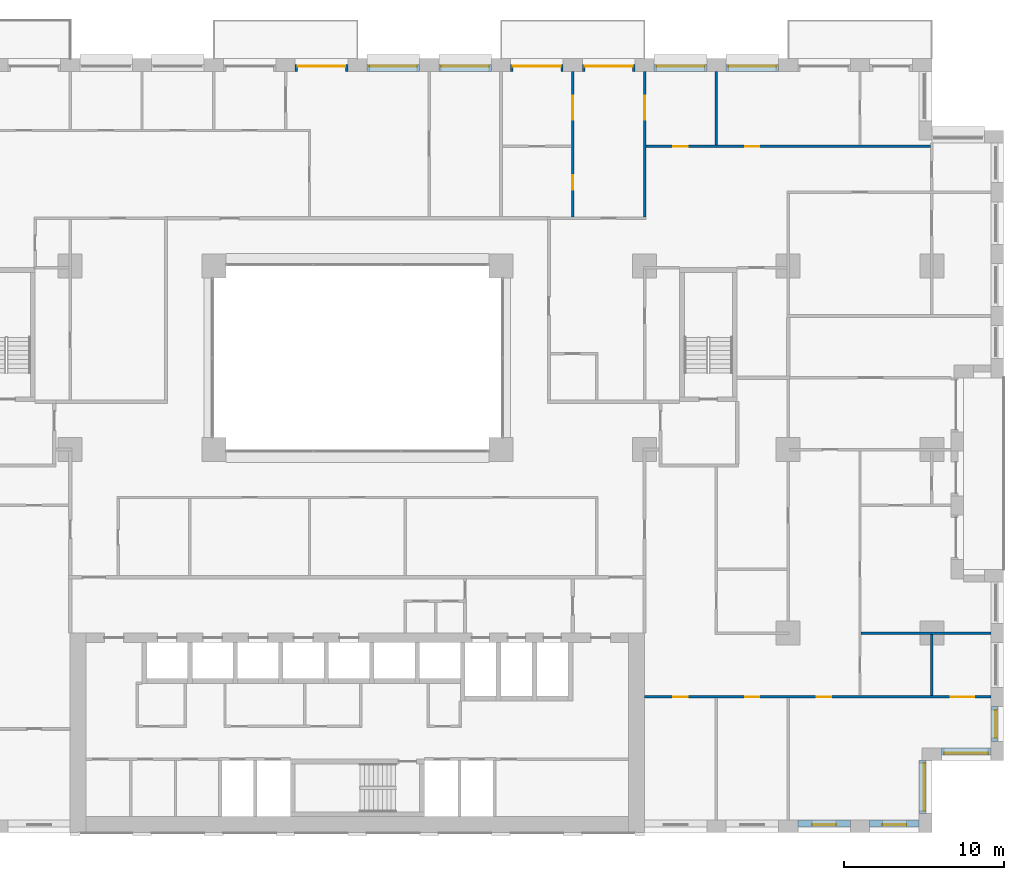
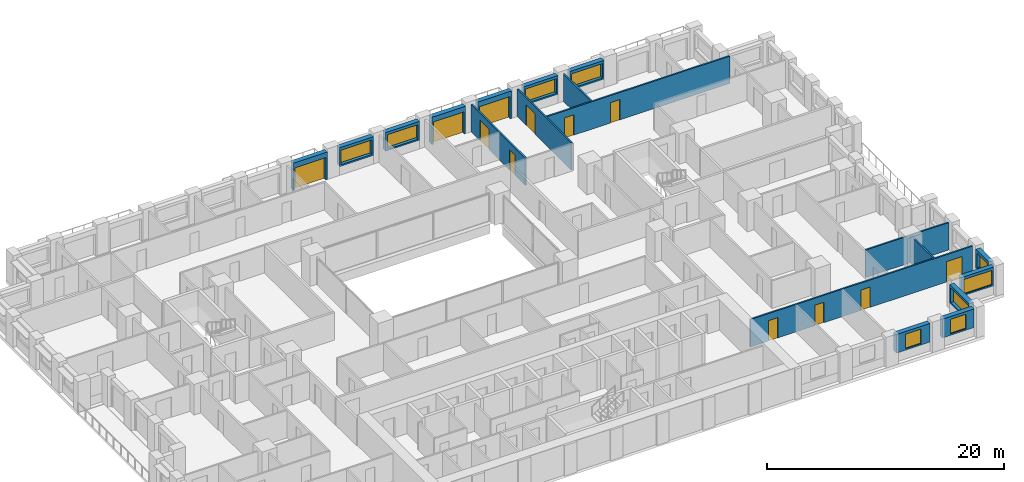
# One storey, part 16 of 20: 19 walls, 12 doors, 9 windows, 21 openings.
"""IFC4 building model written with IfcOpenShell, lengths in metres."""

from ifc_helpers import new_model, si_unit, direction, frame, frame_2d, origin, place, context, subcontext, project, spatial, rectangle, extrude, material, layer, layer_set, type_object, element, fill, save


model = new_model("IFC4")

# Units and contexts
model_context = context("Model", 3, precision=1e-05, world=origin(), true_north=direction((0.0, 1.0)))
body_context = subcontext(model_context, "Body", "Model", "MODEL_VIEW")
ifc_project = project(units=[si_unit("LENGTHUNIT", "METRE"), si_unit("AREAUNIT", "SQUARE_METRE"), si_unit("VOLUMEUNIT", "CUBIC_METRE"), si_unit("PLANEANGLEUNIT", "RADIAN"), si_unit("MASSUNIT", "GRAM", prefix="KILO")], contexts=[model_context])

# Site, building, storey
site_placement = place(None, origin())
site = spatial("IfcSite", under=ifc_project, at=site_placement, CompositionType="ELEMENT")
building_placement = place(site_placement, origin())
building = spatial("IfcBuilding", under=site, at=building_placement, Name="Brigalow Station Residences", CompositionType="ELEMENT")
storey_placement = place(building_placement, frame((0.0, 0.0, 54.14990234375)))
storey = spatial("IfcBuildingStorey", under=building, at=storey_placement, Name="L15", CompositionType="ELEMENT", Elevation=54.14990234375)

# Wall, opening, window
ifc_material_1 = material(Name="Clay brick masonry", Category="masonry")
ifc_layer_1 = layer(ifc_material_1, 0.449951171875)
ifc_layer_set_1 = layer_set([ifc_layer_1], Name="BRICK INFILL WALL 450")
wall_type_1 = type_object("IfcWallType", Name="BRICK INFILL WALL 450", PredefinedType="SOLIDWALL", material=ifc_layer_set_1)
wall_1_placement = place(storey_placement, frame((63.60009765625, 0.574951171875, 0.900146484375), z_axis=(0.0, 0.0, 1.0), x_axis=(1.0, 0.0, 0.0)))
wall_1 = element("IfcWall", 1, at=wall_1_placement, inside=storey, type_object=wall_type_1, Name="L15/ewall/W-L15-7", PredefinedType="SOLIDWALL", context=body_context, shape_type="SweptSolid", body=[
    extrude(rectangle(XDim=3.2998046875, YDim=0.449951171875, at=frame_2d((1.64990234375, 0.0))), origin(), (0.0, 0.0, 1.0), 1.929931640625),
])
opening_1_placement = place(wall_1_placement, frame((0.89990234375, 0.0, 0.14990234375)))
opening_1 = element("IfcOpeningElement", 2, at=opening_1_placement, cuts=wall_1, Name="Opening WT-1", PredefinedType="OPENING", context=body_context, shape_type="SweptSolid", body=[
    extrude(rectangle(XDim=1.5, YDim=1.5, at=frame_2d((0.75, 0.75))), frame((0.0, 0.23486328125, 0.0), z_axis=(0.0, -1.0, 0.0), x_axis=(1.0, 0.0, 0.0)), (0.0, 0.0, 1.0), 0.469970703125),
])
ifc_material_2 = material(Name="Anodised aluminium frame with double glazing", Category="aluminium")
window_type_1 = type_object("IfcWindowType", Name="WINDOW 1500x1500", PartitioningType="SINGLE_PANEL", PredefinedType="WINDOW", material=ifc_material_2)
window_1_placement = place(opening_1_placement, origin())
window_1 = element("IfcWindow", 3, at=window_1_placement, inside=storey, type_object=window_type_1, Name="L15/window/W-L15-7", OverallHeight=1.5, OverallWidth=1.5, PartitioningType="SINGLE_PANEL", PredefinedType="WINDOW", context=body_context, shape_type="SweptSolid", body=[
    extrude(rectangle(XDim=1.5, YDim=1.5, at=frame_2d((0.75, 0.75))), frame((0.0, -0.06494140625, 0.0), z_axis=(0.0, -1.0, 0.0), x_axis=(1.0, 0.0, 0.0)), (0.0, 0.0, 1.0), 0.06005859375),
])
fill(opening_1, window_1)

wall_2_placement = place(storey_placement, frame((68.10009765625, 0.574951171875, 0.900146484375), z_axis=(0.0, 0.0, 1.0), x_axis=(1.0, 0.0, 0.0)))
wall_2 = element("IfcWall", 4, at=wall_2_placement, inside=storey, type_object=wall_type_1, Name="L15/ewall/W-L15-8", PredefinedType="SOLIDWALL", context=body_context, shape_type="SweptSolid", body=[
    extrude(rectangle(XDim=3.099853515625, YDim=0.449951171875, at=frame_2d((1.5498046875, 0.0))), origin(), (0.0, 0.0, 1.0), 1.929931640625),
])
opening_2_placement = place(wall_2_placement, frame((0.800048828125, 0.0, 0.14990234375)))
opening_2 = element("IfcOpeningElement", 5, at=opening_2_placement, cuts=wall_2, Name="Opening WT-1", PredefinedType="OPENING", context=body_context, shape_type="SweptSolid", body=[
    extrude(rectangle(XDim=1.5, YDim=1.5, at=frame_2d((0.75, 0.75))), frame((0.0, 0.23486328125, 0.0), z_axis=(0.0, -1.0, 0.0), x_axis=(1.0, 0.0, 0.0)), (0.0, 0.0, 1.0), 0.469970703125),
])
window_2_placement = place(opening_2_placement, origin())
window_2 = element("IfcWindow", 6, at=window_2_placement, inside=storey, type_object=window_type_1, Name="L15/window/W-L15-8", OverallHeight=1.5, OverallWidth=1.5, PartitioningType="SINGLE_PANEL", PredefinedType="WINDOW", context=body_context, shape_type="SweptSolid", body=[
    extrude(rectangle(XDim=1.5, YDim=1.5, at=frame_2d((0.75, 0.75))), frame((0.0, -0.06494140625, 0.0), z_axis=(0.0, -1.0, 0.0), x_axis=(1.0, 0.0, 0.0)), (0.0, 0.0, 1.0), 0.06005859375),
])
fill(opening_2, window_2)

wall_3_placement = place(storey_placement, frame((71.425048828125, 1.199951171875, 0.900146484375), z_axis=(0.0, 0.0, 1.0), x_axis=(0.0, 1.0, 0.0)))
wall_3 = element("IfcWall", 7, at=wall_3_placement, inside=storey, type_object=wall_type_1, Name="L15/ewall/W-L15-9", PredefinedType="SOLIDWALL", context=body_context, shape_type="SweptSolid", body=[
    extrude(rectangle(XDim=3.300048828125, YDim=0.449951171875, at=frame_2d((1.64990234375, 0.0))), origin(), (0.0, 0.0, 1.0), 1.929931640625),
])
opening_3_placement = place(wall_3_placement, frame((0.14990234375, 0.0, 0.14990234375)))
opening_3 = element("IfcOpeningElement", 8, at=opening_3_placement, cuts=wall_3, Name="Opening WT-2", PredefinedType="OPENING", context=body_context, shape_type="SweptSolid", body=[
    extrude(rectangle(XDim=3.0, YDim=1.5, at=frame_2d((1.5, 0.75))), frame((0.0, 0.23486328125, 0.0), z_axis=(0.0, -1.0, 0.0), x_axis=(1.0, 0.0, 0.0)), (0.0, 0.0, 1.0), 0.469970703125),
])
ifc_material_3 = material(Name="Anodised aluminium frame with double glazing", Category="aluminium")
window_type_2 = type_object("IfcWindowType", Name="WINDOW 3000x1500", PartitioningType="SINGLE_PANEL", PredefinedType="WINDOW", material=ifc_material_3)
window_3_placement = place(opening_3_placement, origin())
window_3 = element("IfcWindow", 9, at=window_3_placement, inside=storey, type_object=window_type_2, Name="L15/window/W-L15-9", OverallHeight=1.5, OverallWidth=3.0, PartitioningType="SINGLE_PANEL", PredefinedType="WINDOW", context=body_context, shape_type="SweptSolid", body=[
    extrude(rectangle(XDim=3.0, YDim=1.5, at=frame_2d((1.5, 0.75))), frame((0.0, -0.06494140625, 0.0), z_axis=(0.0, -1.0, 0.0), x_axis=(1.0, 0.0, 0.0)), (0.0, 0.0, 1.0), 0.06005859375),
])
fill(opening_3, window_3)

wall_4_placement = place(storey_placement, frame((72.60009765625, 5.074951171875, 0.900146484375), z_axis=(0.0, 0.0, 1.0), x_axis=(1.0, 0.0, 0.0)))
wall_4 = element("IfcWall", 10, at=wall_4_placement, inside=storey, type_object=wall_type_1, Name="L15/ewall/W-L15-10", PredefinedType="SOLIDWALL", context=body_context, shape_type="SweptSolid", body=[
    extrude(rectangle(XDim=3.099853515625, YDim=0.449951171875, at=frame_2d((1.5498046875, 0.0))), origin(), (0.0, 0.0, 1.0), 1.929931640625),
])
opening_4_placement = place(wall_4_placement, frame((0.175048828125, 0.0, 0.14990234375)))
opening_4 = element("IfcOpeningElement", 11, at=opening_4_placement, cuts=wall_4, Name="Opening WT-3", PredefinedType="OPENING", context=body_context, shape_type="SweptSolid", body=[
    extrude(rectangle(XDim=2.75, YDim=1.5, at=frame_2d((1.375, 0.75))), frame((0.0, 0.23486328125, 0.0), z_axis=(0.0, -1.0, 0.0), x_axis=(1.0, 0.0, 0.0)), (0.0, 0.0, 1.0), 0.469970703125),
])
ifc_material_4 = material(Name="Anodised aluminium frame with double glazing", Category="aluminium")
window_type_3 = type_object("IfcWindowType", Name="WINDOW 2750x1500", PartitioningType="SINGLE_PANEL", PredefinedType="WINDOW", material=ifc_material_4)
window_4_placement = place(opening_4_placement, origin())
window_4 = element("IfcWindow", 12, at=window_4_placement, inside=storey, type_object=window_type_3, Name="L15/window/W-L15-10", OverallHeight=1.5, OverallWidth=2.75, PartitioningType="SINGLE_PANEL", PredefinedType="WINDOW", context=body_context, shape_type="SweptSolid", body=[
    extrude(rectangle(XDim=2.75, YDim=1.5, at=frame_2d((1.375, 0.75))), frame((0.0, -0.06494140625, 0.0), z_axis=(0.0, -1.0, 0.0), x_axis=(1.0, 0.0, 0.0)), (0.0, 0.0, 1.0), 0.06005859375),
])
fill(opening_4, window_4)

wall_5_placement = place(storey_placement, frame((75.925048828125, 5.699951171875, 0.900146484375), z_axis=(0.0, 0.0, 1.0), x_axis=(0.0, 1.0, 0.0)))
wall_5 = element("IfcWall", 13, at=wall_5_placement, inside=storey, type_object=wall_type_1, Name="L15/ewall/W-L15-11", PredefinedType="SOLIDWALL", context=body_context, shape_type="SweptSolid", body=[
    extrude(rectangle(XDim=2.199951171875, YDim=0.449951171875, at=frame_2d((1.10009765625, 0.0))), origin(), (0.0, 0.0, 1.0), 1.929931640625),
])
opening_5_placement = place(wall_5_placement, frame((0.22509765625, 0.0, 0.14990234375)))
opening_5 = element("IfcOpeningElement", 14, at=opening_5_placement, cuts=wall_5, Name="Opening WT-4", PredefinedType="OPENING", context=body_context, shape_type="SweptSolid", body=[
    extrude(rectangle(XDim=1.75, YDim=1.5, at=frame_2d((0.875, 0.75))), frame((0.0, 0.23486328125, 0.0), z_axis=(0.0, -1.0, 0.0), x_axis=(1.0, 0.0, 0.0)), (0.0, 0.0, 1.0), 0.469970703125),
])
ifc_material_5 = material(Name="Anodised aluminium frame with double glazing", Category="aluminium")
window_type_4 = type_object("IfcWindowType", Name="WINDOW 1750x1500", PartitioningType="SINGLE_PANEL", PredefinedType="WINDOW", material=ifc_material_5)
window_5_placement = place(opening_5_placement, origin())
window_5 = element("IfcWindow", 15, at=window_5_placement, inside=storey, type_object=window_type_4, Name="L15/window/W-L15-11", OverallHeight=1.5, OverallWidth=1.75, PartitioningType="SINGLE_PANEL", PredefinedType="WINDOW", context=body_context, shape_type="SweptSolid", body=[
    extrude(rectangle(XDim=1.75, YDim=1.5, at=frame_2d((0.875, 0.75))), frame((0.0, -0.06494140625, 0.0), z_axis=(0.0, -1.0, 0.0), x_axis=(1.0, 0.0, 0.0)), (0.0, 0.0, 1.0), 0.06005859375),
])
fill(opening_5, window_5)

wall_6_placement = place(storey_placement, frame((62.39990234375, 47.925048828125, 0.900146484375), z_axis=(0.0, 0.0, 1.0), x_axis=(-1.0, 0.0, 0.0)))
wall_6 = element("IfcWall", 16, at=wall_6_placement, inside=storey, type_object=wall_type_1, Name="L15/ewall/W-L15-27", PredefinedType="SOLIDWALL", context=body_context, shape_type="SweptSolid", body=[
    extrude(rectangle(XDim=3.2998046875, YDim=0.449951171875, at=frame_2d((1.64990234375, 0.0))), origin(), (0.0, 0.0, 1.0), 1.929931640625),
])
opening_6_placement = place(wall_6_placement, frame((0.14990234375, 0.0, 0.14990234375)))
opening_6 = element("IfcOpeningElement", 17, at=opening_6_placement, cuts=wall_6, Name="Opening WT-2", PredefinedType="OPENING", context=body_context, shape_type="SweptSolid", body=[
    extrude(rectangle(XDim=3.0, YDim=1.5, at=frame_2d((1.5, 0.75))), frame((0.0, 0.23486328125, 0.0), z_axis=(0.0, -1.0, 0.0), x_axis=(1.0, 0.0, 0.0)), (0.0, 0.0, 1.0), 0.469970703125),
])
window_6_placement = place(opening_6_placement, origin())
window_6 = element("IfcWindow", 18, at=window_6_placement, inside=storey, type_object=window_type_2, Name="L15/window/W-L15-27", OverallHeight=1.5, OverallWidth=3.0, PartitioningType="SINGLE_PANEL", PredefinedType="WINDOW", context=body_context, shape_type="SweptSolid", body=[
    extrude(rectangle(XDim=3.0, YDim=1.5, at=frame_2d((1.5, 0.75))), frame((0.0, -0.06494140625, 0.0), z_axis=(0.0, -1.0, 0.0), x_axis=(1.0, 0.0, 0.0)), (0.0, 0.0, 1.0), 0.06005859375),
])
fill(opening_6, window_6)

wall_7_placement = place(storey_placement, frame((57.89990234375, 47.925048828125, 0.900146484375), z_axis=(0.0, 0.0, 1.0), x_axis=(-1.0, 0.0, 0.0)))
wall_7 = element("IfcWall", 19, at=wall_7_placement, inside=storey, type_object=wall_type_1, Name="L15/ewall/W-L15-28", PredefinedType="SOLIDWALL", context=body_context, shape_type="SweptSolid", body=[
    extrude(rectangle(XDim=3.2998046875, YDim=0.449951171875, at=frame_2d((1.64990234375, 0.0))), origin(), (0.0, 0.0, 1.0), 1.929931640625),
])
opening_7_placement = place(wall_7_placement, frame((0.14990234375, 0.0, 0.14990234375)))
opening_7 = element("IfcOpeningElement", 20, at=opening_7_placement, cuts=wall_7, Name="Opening WT-2", PredefinedType="OPENING", context=body_context, shape_type="SweptSolid", body=[
    extrude(rectangle(XDim=3.0, YDim=1.5, at=frame_2d((1.5, 0.75))), frame((0.0, 0.23486328125, 0.0), z_axis=(0.0, -1.0, 0.0), x_axis=(1.0, 0.0, 0.0)), (0.0, 0.0, 1.0), 0.469970703125),
])
window_7_placement = place(opening_7_placement, origin())
window_7 = element("IfcWindow", 21, at=window_7_placement, inside=storey, type_object=window_type_2, Name="L15/window/W-L15-28", OverallHeight=1.5, OverallWidth=3.0, PartitioningType="SINGLE_PANEL", PredefinedType="WINDOW", context=body_context, shape_type="SweptSolid", body=[
    extrude(rectangle(XDim=3.0, YDim=1.5, at=frame_2d((1.5, 0.75))), frame((0.0, -0.06494140625, 0.0), z_axis=(0.0, -1.0, 0.0), x_axis=(1.0, 0.0, 0.0)), (0.0, 0.0, 1.0), 0.06005859375),
])
fill(opening_7, window_7)

# Wall, opening, door
wall_8_placement = place(storey_placement, frame((53.39990234375, 47.925048828125, 0.0), z_axis=(0.0, 0.0, 1.0), x_axis=(-1.0, 0.0, 0.0)))
wall_8 = element("IfcWall", 22, at=wall_8_placement, inside=storey, type_object=wall_type_1, Name="L15/ewall/W-L15-29", PredefinedType="SOLIDWALL", context=body_context, shape_type="SweptSolid", body=[
    extrude(rectangle(XDim=3.2998046875, YDim=0.449951171875, at=frame_2d((1.64990234375, 0.0))), origin(), (0.0, 0.0, 1.0), 2.830078125),
])
opening_8_placement = place(wall_8_placement, frame((0.14990234375, 0.0, 0.0)))
opening_8 = element("IfcOpeningElement", 23, at=opening_8_placement, cuts=wall_8, Name="Opening D-B3000", PredefinedType="OPENING", context=body_context, shape_type="SweptSolid", body=[
    extrude(rectangle(XDim=3.0, YDim=2.300048828125, at=frame_2d((1.5, 1.14990234375))), frame((0.0, 0.23486328125, 0.0), z_axis=(0.0, -1.0, 0.0), x_axis=(1.0, 0.0, 0.0)), (0.0, 0.0, 1.0), 0.469970703125),
])
ifc_material_6 = material(Name="Anodised aluminium frame with double glazing", Category="aluminium")
door_type_1 = type_object("IfcDoorType", Name="BALCONY SLIDING DOOR 3000x2300", OperationType="SLIDING_TO_LEFT", PredefinedType="DOOR", material=ifc_material_6)
door_1_placement = place(opening_8_placement, origin())
door_1 = element("IfcDoor", 24, at=door_1_placement, inside=storey, type_object=door_type_1, Name="L15/balcony-door/W-L15-29", OperationType="SLIDING_TO_LEFT", OverallHeight=2.300048828125, OverallWidth=3.0, PredefinedType="DOOR", context=body_context, shape_type="SweptSolid", body=[
    extrude(rectangle(XDim=3.0, YDim=2.300048828125, at=frame_2d((1.5, 1.14990234375))), frame((0.0, -0.06982421875, 0.0), z_axis=(0.0, -1.0, 0.0), x_axis=(1.0, 0.0, 0.0)), (0.0, 0.0, 1.0), 0.050048828125),
])
fill(opening_8, door_1)

wall_9_placement = place(storey_placement, frame((48.89990234375, 47.925048828125, 0.0), z_axis=(0.0, 0.0, 1.0), x_axis=(-1.0, 0.0, 0.0)))
wall_9 = element("IfcWall", 25, at=wall_9_placement, inside=storey, type_object=wall_type_1, Name="L15/ewall/W-L15-30", PredefinedType="SOLIDWALL", context=body_context, shape_type="SweptSolid", body=[
    extrude(rectangle(XDim=3.2998046875, YDim=0.449951171875, at=frame_2d((1.64990234375, 0.0))), origin(), (0.0, 0.0, 1.0), 2.830078125),
])
opening_9_placement = place(wall_9_placement, frame((0.14990234375, 0.0, 0.0)))
opening_9 = element("IfcOpeningElement", 26, at=opening_9_placement, cuts=wall_9, Name="Opening D-B3000", PredefinedType="OPENING", context=body_context, shape_type="SweptSolid", body=[
    extrude(rectangle(XDim=3.0, YDim=2.300048828125, at=frame_2d((1.5, 1.14990234375))), frame((0.0, 0.23486328125, 0.0), z_axis=(0.0, -1.0, 0.0), x_axis=(1.0, 0.0, 0.0)), (0.0, 0.0, 1.0), 0.469970703125),
])
door_2_placement = place(opening_9_placement, origin())
door_2 = element("IfcDoor", 27, at=door_2_placement, inside=storey, type_object=door_type_1, Name="L15/balcony-door/W-L15-30", OperationType="SLIDING_TO_LEFT", OverallHeight=2.300048828125, OverallWidth=3.0, PredefinedType="DOOR", context=body_context, shape_type="SweptSolid", body=[
    extrude(rectangle(XDim=3.0, YDim=2.300048828125, at=frame_2d((1.5, 1.14990234375))), frame((0.0, -0.06982421875, 0.0), z_axis=(0.0, -1.0, 0.0), x_axis=(1.0, 0.0, 0.0)), (0.0, 0.0, 1.0), 0.050048828125),
])
fill(opening_9, door_2)

# Wall, opening, window
wall_10_placement = place(storey_placement, frame((44.39990234375, 47.925048828125, 0.900146484375), z_axis=(0.0, 0.0, 1.0), x_axis=(-1.0, 0.0, 0.0)))
wall_10 = element("IfcWall", 28, at=wall_10_placement, inside=storey, type_object=wall_type_1, Name="L15/ewall/W-L15-31", PredefinedType="SOLIDWALL", context=body_context, shape_type="SweptSolid", body=[
    extrude(rectangle(XDim=3.2998046875, YDim=0.449951171875, at=frame_2d((1.64990234375, 0.0))), origin(), (0.0, 0.0, 1.0), 1.929931640625),
])
opening_10_placement = place(wall_10_placement, frame((0.14990234375, 0.0, 0.14990234375)))
opening_10 = element("IfcOpeningElement", 29, at=opening_10_placement, cuts=wall_10, Name="Opening WT-2", PredefinedType="OPENING", context=body_context, shape_type="SweptSolid", body=[
    extrude(rectangle(XDim=3.0, YDim=1.5, at=frame_2d((1.5, 0.75))), frame((0.0, 0.23486328125, 0.0), z_axis=(0.0, -1.0, 0.0), x_axis=(1.0, 0.0, 0.0)), (0.0, 0.0, 1.0), 0.469970703125),
])
window_8_placement = place(opening_10_placement, origin())
window_8 = element("IfcWindow", 30, at=window_8_placement, inside=storey, type_object=window_type_2, Name="L15/window/W-L15-31", OverallHeight=1.5, OverallWidth=3.0, PartitioningType="SINGLE_PANEL", PredefinedType="WINDOW", context=body_context, shape_type="SweptSolid", body=[
    extrude(rectangle(XDim=3.0, YDim=1.5, at=frame_2d((1.5, 0.75))), frame((0.0, -0.06494140625, 0.0), z_axis=(0.0, -1.0, 0.0), x_axis=(1.0, 0.0, 0.0)), (0.0, 0.0, 1.0), 0.06005859375),
])
fill(opening_10, window_8)

wall_11_placement = place(storey_placement, frame((39.89990234375, 47.925048828125, 0.900146484375), z_axis=(0.0, 0.0, 1.0), x_axis=(-1.0, 0.0, 0.0)))
wall_11 = element("IfcWall", 31, at=wall_11_placement, inside=storey, type_object=wall_type_1, Name="L15/ewall/W-L15-32", PredefinedType="SOLIDWALL", context=body_context, shape_type="SweptSolid", body=[
    extrude(rectangle(XDim=3.2998046875, YDim=0.449951171875, at=frame_2d((1.64990234375, 0.0))), origin(), (0.0, 0.0, 1.0), 1.929931640625),
])
opening_11_placement = place(wall_11_placement, frame((0.14990234375, 0.0, 0.14990234375)))
opening_11 = element("IfcOpeningElement", 32, at=opening_11_placement, cuts=wall_11, Name="Opening WT-2", PredefinedType="OPENING", context=body_context, shape_type="SweptSolid", body=[
    extrude(rectangle(XDim=3.0, YDim=1.5, at=frame_2d((1.5, 0.75))), frame((0.0, 0.23486328125, 0.0), z_axis=(0.0, -1.0, 0.0), x_axis=(1.0, 0.0, 0.0)), (0.0, 0.0, 1.0), 0.469970703125),
])
window_9_placement = place(opening_11_placement, origin())
window_9 = element("IfcWindow", 33, at=window_9_placement, inside=storey, type_object=window_type_2, Name="L15/window/W-L15-32", OverallHeight=1.5, OverallWidth=3.0, PartitioningType="SINGLE_PANEL", PredefinedType="WINDOW", context=body_context, shape_type="SweptSolid", body=[
    extrude(rectangle(XDim=3.0, YDim=1.5, at=frame_2d((1.5, 0.75))), frame((0.0, -0.06494140625, 0.0), z_axis=(0.0, -1.0, 0.0), x_axis=(1.0, 0.0, 0.0)), (0.0, 0.0, 1.0), 0.06005859375),
])
fill(opening_11, window_9)

# Wall, opening, door
wall_12_placement = place(storey_placement, frame((35.39990234375, 47.925048828125, 0.0), z_axis=(0.0, 0.0, 1.0), x_axis=(-1.0, 0.0, 0.0)))
wall_12 = element("IfcWall", 34, at=wall_12_placement, inside=storey, type_object=wall_type_1, Name="L15/ewall/W-L15-33", PredefinedType="SOLIDWALL", context=body_context, shape_type="SweptSolid", body=[
    extrude(rectangle(XDim=3.2998046875, YDim=0.449951171875, at=frame_2d((1.64990234375, 0.0))), origin(), (0.0, 0.0, 1.0), 2.830078125),
])
opening_12_placement = place(wall_12_placement, frame((0.14990234375, 0.0, 0.0)))
opening_12 = element("IfcOpeningElement", 35, at=opening_12_placement, cuts=wall_12, Name="Opening D-B3000", PredefinedType="OPENING", context=body_context, shape_type="SweptSolid", body=[
    extrude(rectangle(XDim=3.0, YDim=2.300048828125, at=frame_2d((1.5, 1.14990234375))), frame((0.0, 0.23486328125, 0.0), z_axis=(0.0, -1.0, 0.0), x_axis=(1.0, 0.0, 0.0)), (0.0, 0.0, 1.0), 0.469970703125),
])
door_3_placement = place(opening_12_placement, origin())
door_3 = element("IfcDoor", 36, at=door_3_placement, inside=storey, type_object=door_type_1, Name="L15/balcony-door/W-L15-33", OperationType="SLIDING_TO_LEFT", OverallHeight=2.300048828125, OverallWidth=3.0, PredefinedType="DOOR", context=body_context, shape_type="SweptSolid", body=[
    extrude(rectangle(XDim=3.0, YDim=2.300048828125, at=frame_2d((1.5, 1.14990234375))), frame((0.0, -0.06982421875, 0.0), z_axis=(0.0, -1.0, 0.0), x_axis=(1.0, 0.0, 0.0)), (0.0, 0.0, 1.0), 0.050048828125),
])
fill(opening_12, door_3)

# Wall
ifc_material_7 = material(Name="Plasterboard on steel stud partition", Category="steel")
ifc_layer_2 = layer(ifc_material_7, 0.14990234375)
ifc_layer_set_2 = layer_set([ifc_layer_2], Name="FLAT PARTITION 150")
wall_type_2 = type_object("IfcWallType", Name="FLAT PARTITION 150", PredefinedType="PARTITIONING", material=ifc_layer_set_2)
wall_13_placement = place(storey_placement, frame((67.574951171875, 12.5, 0.0), z_axis=(0.0, 0.0, 1.0), x_axis=(1.0, 0.0, 0.0)))
element("IfcWall", 37, at=wall_13_placement, inside=storey, type_object=wall_type_2, Name="PW-1E14", PredefinedType="PARTITIONING", context=body_context, shape_type="SweptSolid", body=[
    extrude(rectangle(XDim=8.125, YDim=0.14990234375, at=frame_2d((4.0625, 0.0))), origin(), (0.0, 0.0, 1.0), 2.830078125),
])

# Wall, openings, doors
wall_14_placement = place(storey_placement, frame((54.074951171875, 43.0, 0.0), z_axis=(0.0, 0.0, 1.0), x_axis=(1.0, 0.0, 0.0)))
wall_14 = element("IfcWall", 38, at=wall_14_placement, inside=storey, type_object=wall_type_2, Name="PW-1E34", PredefinedType="PARTITIONING", context=body_context, shape_type="SweptSolid", body=[
    extrude(rectangle(XDim=17.85009765625, YDim=0.14990234375, at=frame_2d((8.925048828125, 0.0))), origin(), (0.0, 0.0, 1.0), 2.830078125),
])
opening_13_placement = place(wall_14_placement, frame((6.22509765625, 0.0, 0.0)))
opening_13 = element("IfcOpeningElement", 39, at=opening_13_placement, cuts=wall_14, Name="Opening D-1E40", PredefinedType="OPENING", context=body_context, shape_type="SweptSolid", body=[
    extrude(rectangle(XDim=0.89990234375, YDim=2.10009765625, at=frame_2d((0.449951171875, 1.050048828125))), frame((0.0, 0.0849609375, 0.0), z_axis=(0.0, -1.0, 0.0), x_axis=(1.0, 0.0, 0.0)), (0.0, 0.0, 1.0), 0.169921875),
])
opening_14_placement = place(wall_14_placement, frame((1.72509765625, 0.0, 0.0)))
opening_14 = element("IfcOpeningElement", 40, at=opening_14_placement, cuts=wall_14, Name="Opening D-1E45", PredefinedType="OPENING", context=body_context, shape_type="SweptSolid", body=[
    extrude(rectangle(XDim=0.89990234375, YDim=2.10009765625, at=frame_2d((0.449951171875, 1.050048828125))), frame((0.0, 0.0849609375, 0.0), z_axis=(0.0, -1.0, 0.0), x_axis=(1.0, 0.0, 0.0)), (0.0, 0.0, 1.0), 0.169921875),
])
ifc_material_8 = material(Name="Solid-core timber door leaf", Category="wood")
door_type_2 = type_object("IfcDoorType", Name="INTERNAL DOOR 900 x 2100", OperationType="SINGLE_SWING_LEFT", PredefinedType="DOOR", material=ifc_material_8)
door_4_placement = place(opening_13_placement, origin())
door_4 = element("IfcDoor", 41, at=door_4_placement, inside=storey, type_object=door_type_2, Name="D-1E40", OperationType="SINGLE_SWING_LEFT", OverallHeight=2.10009765625, OverallWidth=0.89990234375, PredefinedType="DOOR", context=body_context, shape_type="SweptSolid", body=[
    extrude(rectangle(XDim=0.89990234375, YDim=2.10009765625, at=frame_2d((0.449951171875, 1.050048828125))), frame((0.0, 0.02490234375, 0.0), z_axis=(0.0, -1.0, 0.0), x_axis=(1.0, 0.0, 0.0)), (0.0, 0.0, 1.0), 0.050048828125),
])
fill(opening_13, door_4)
door_5_placement = place(opening_14_placement, origin())
door_5 = element("IfcDoor", 42, at=door_5_placement, inside=storey, type_object=door_type_2, Name="D-1E45", OperationType="SINGLE_SWING_LEFT", OverallHeight=2.10009765625, OverallWidth=0.89990234375, PredefinedType="DOOR", context=body_context, shape_type="SweptSolid", body=[
    extrude(rectangle(XDim=0.89990234375, YDim=2.10009765625, at=frame_2d((0.449951171875, 1.050048828125))), frame((0.0, 0.02490234375, 0.0), z_axis=(0.0, -1.0, 0.0), x_axis=(1.0, 0.0, 0.0)), (0.0, 0.0, 1.0), 0.050048828125),
])
fill(opening_14, door_5)

wall_15_placement = place(storey_placement, frame((54.0, 8.5, 0.0), z_axis=(0.0, 0.0, 1.0), x_axis=(1.0, 0.0, 0.0)))
wall_15 = element("IfcWall", 43, at=wall_15_placement, inside=storey, type_object=wall_type_2, Name="PW-1E35", PredefinedType="PARTITIONING", context=body_context, shape_type="SweptSolid", body=[
    extrude(rectangle(XDim=21.699951171875, YDim=0.14990234375, at=frame_2d((10.85009765625, 0.0))), origin(), (0.0, 0.0, 1.0), 2.830078125),
])
opening_15_placement = place(wall_15_placement, frame((6.300048828125, 0.0, 0.0)))
opening_15 = element("IfcOpeningElement", 44, at=opening_15_placement, cuts=wall_15, Name="Opening D-1E52", PredefinedType="OPENING", context=body_context, shape_type="SweptSolid", body=[
    extrude(rectangle(XDim=0.89990234375, YDim=2.10009765625, at=frame_2d((0.449951171875, 1.050048828125))), frame((0.0, 0.0849609375, 0.0), z_axis=(0.0, -1.0, 0.0), x_axis=(1.0, 0.0, 0.0)), (0.0, 0.0, 1.0), 0.169921875),
])
opening_16_placement = place(wall_15_placement, frame((1.800048828125, 0.0, 0.0)))
opening_16 = element("IfcOpeningElement", 45, at=opening_16_placement, cuts=wall_15, Name="Opening D-1E57", PredefinedType="OPENING", context=body_context, shape_type="SweptSolid", body=[
    extrude(rectangle(XDim=0.89990234375, YDim=2.10009765625, at=frame_2d((0.449951171875, 1.050048828125))), frame((0.0, 0.0849609375, 0.0), z_axis=(0.0, -1.0, 0.0), x_axis=(1.0, 0.0, 0.0)), (0.0, 0.0, 1.0), 0.169921875),
])
opening_17_placement = place(wall_15_placement, frame((10.800048828125, 0.0, 0.0)))
opening_17 = element("IfcOpeningElement", 46, at=opening_17_placement, cuts=wall_15, Name="Opening D-1E58", PredefinedType="OPENING", context=body_context, shape_type="SweptSolid", body=[
    extrude(rectangle(XDim=0.89990234375, YDim=2.10009765625, at=frame_2d((0.449951171875, 1.050048828125))), frame((0.0, 0.0849609375, 0.0), z_axis=(0.0, -1.0, 0.0), x_axis=(1.0, 0.0, 0.0)), (0.0, 0.0, 1.0), 0.169921875),
])
opening_18_placement = place(wall_15_placement, frame((19.175048828125, 0.0, 0.0)))
opening_18 = element("IfcOpeningElement", 47, at=opening_18_placement, cuts=wall_15, Name="Opening D-1E62", PredefinedType="OPENING", context=body_context, shape_type="SweptSolid", body=[
    extrude(rectangle(XDim=1.5, YDim=2.10009765625, at=frame_2d((0.75, 1.050048828125))), frame((0.0, 0.0849609375, 0.0), z_axis=(0.0, -1.0, 0.0), x_axis=(1.0, 0.0, 0.0)), (0.0, 0.0, 1.0), 0.169921875),
])
door_6_placement = place(opening_15_placement, frame((0.89990234375, 0.0, 0.0), z_axis=(0.0, 0.0, 1.0), x_axis=(-1.0, 0.0, 0.0)))
door_6 = element("IfcDoor", 48, at=door_6_placement, inside=storey, type_object=door_type_2, Name="D-1E52", OperationType="SINGLE_SWING_LEFT", OverallHeight=2.10009765625, OverallWidth=0.89990234375, PredefinedType="DOOR", context=body_context, shape_type="SweptSolid", body=[
    extrude(rectangle(XDim=0.89990234375, YDim=2.10009765625, at=frame_2d((0.449951171875, 1.050048828125))), frame((0.0, 0.02490234375, 0.0), z_axis=(0.0, -1.0, 0.0), x_axis=(1.0, 0.0, 0.0)), (0.0, 0.0, 1.0), 0.050048828125),
])
fill(opening_15, door_6)
door_7_placement = place(opening_16_placement, frame((0.89990234375, 0.0, 0.0), z_axis=(0.0, 0.0, 1.0), x_axis=(-1.0, 0.0, 0.0)))
door_7 = element("IfcDoor", 49, at=door_7_placement, inside=storey, type_object=door_type_2, Name="D-1E57", OperationType="SINGLE_SWING_LEFT", OverallHeight=2.10009765625, OverallWidth=0.89990234375, PredefinedType="DOOR", context=body_context, shape_type="SweptSolid", body=[
    extrude(rectangle(XDim=0.89990234375, YDim=2.10009765625, at=frame_2d((0.449951171875, 1.050048828125))), frame((0.0, 0.02490234375, 0.0), z_axis=(0.0, -1.0, 0.0), x_axis=(1.0, 0.0, 0.0)), (0.0, 0.0, 1.0), 0.050048828125),
])
fill(opening_16, door_7)
door_8_placement = place(opening_17_placement, frame((0.89990234375, 0.0, 0.0), z_axis=(0.0, 0.0, 1.0), x_axis=(-1.0, 0.0, 0.0)))
door_8 = element("IfcDoor", 50, at=door_8_placement, inside=storey, type_object=door_type_2, Name="D-1E58", OperationType="SINGLE_SWING_RIGHT", OverallHeight=2.10009765625, OverallWidth=0.89990234375, PredefinedType="DOOR", context=body_context, shape_type="SweptSolid", body=[
    extrude(rectangle(XDim=0.89990234375, YDim=2.10009765625, at=frame_2d((0.449951171875, 1.050048828125))), frame((0.0, 0.02490234375, 0.0), z_axis=(0.0, -1.0, 0.0), x_axis=(1.0, 0.0, 0.0)), (0.0, 0.0, 1.0), 0.050048828125),
])
fill(opening_17, door_8)
ifc_material_9 = material(Name="Solid-core timber door leaf", Category="wood")
door_type_3 = type_object("IfcDoorType", Name="INTERNAL DOUBLE DOOR 1500 x 2100", OperationType="DOUBLE_DOOR_SINGLE_SWING", PredefinedType="DOOR", material=ifc_material_9)
door_9_placement = place(opening_18_placement, origin())
door_9 = element("IfcDoor", 51, at=door_9_placement, inside=storey, type_object=door_type_3, Name="D-1E62", OperationType="DOUBLE_DOOR_SINGLE_SWING", OverallHeight=2.10009765625, OverallWidth=1.5, PredefinedType="DOOR", context=body_context, shape_type="SweptSolid", body=[
    extrude(rectangle(XDim=1.5, YDim=2.10009765625, at=frame_2d((0.75, 1.050048828125))), frame((0.0, 0.02490234375, 0.0), z_axis=(0.0, -1.0, 0.0), x_axis=(1.0, 0.0, 0.0)), (0.0, 0.0, 1.0), 0.050048828125),
])
fill(opening_18, door_9)

# Wall, opening, door
wall_16_placement = place(storey_placement, frame((54.0, 38.574951171875, 0.0), z_axis=(0.0, 0.0, 1.0), x_axis=(0.0, 1.0, 0.0)))
wall_16 = element("IfcWall", 52, at=wall_16_placement, inside=storey, type_object=wall_type_2, Name="PW-1E41", PredefinedType="PARTITIONING", context=body_context, shape_type="SweptSolid", body=[
    extrude(rectangle(XDim=9.125, YDim=0.14990234375, at=frame_2d((4.5625, 0.0))), origin(), (0.0, 0.0, 1.0), 2.830078125),
])
opening_19_placement = place(wall_16_placement, frame((6.10009765625, 0.0, 0.0)))
opening_19 = element("IfcOpeningElement", 53, at=opening_19_placement, cuts=wall_16, Name="Opening D-1E48", PredefinedType="OPENING", context=body_context, shape_type="SweptSolid", body=[
    extrude(rectangle(XDim=1.5, YDim=2.10009765625, at=frame_2d((0.75, 1.050048828125))), frame((0.0, 0.0849609375, 0.0), z_axis=(0.0, -1.0, 0.0), x_axis=(1.0, 0.0, 0.0)), (0.0, 0.0, 1.0), 0.169921875),
])
door_10_placement = place(opening_19_placement, frame((1.5, 0.0, 0.0), z_axis=(0.0, 0.0, 1.0), x_axis=(-1.0, 0.0, 0.0)))
door_10 = element("IfcDoor", 54, at=door_10_placement, inside=storey, type_object=door_type_3, Name="D-1E48", OperationType="DOUBLE_DOOR_SINGLE_SWING", OverallHeight=2.10009765625, OverallWidth=1.5, PredefinedType="DOOR", context=body_context, shape_type="SweptSolid", body=[
    extrude(rectangle(XDim=1.5, YDim=2.10009765625, at=frame_2d((0.75, 1.050048828125))), frame((0.0, 0.02490234375, 0.0), z_axis=(0.0, -1.0, 0.0), x_axis=(1.0, 0.0, 0.0)), (0.0, 0.0, 1.0), 0.050048828125),
])
fill(opening_19, door_10)

# Wall
wall_17_placement = place(storey_placement, frame((72.0, 8.574951171875, 0.0), z_axis=(0.0, 0.0, 1.0), x_axis=(0.0, 1.0, 0.0)))
element("IfcWall", 55, at=wall_17_placement, inside=storey, type_object=wall_type_2, Name="PW-1E72", PredefinedType="PARTITIONING", context=body_context, shape_type="SweptSolid", body=[
    extrude(rectangle(XDim=3.85009765625, YDim=0.14990234375, at=frame_2d((1.925048828125, 0.0))), origin(), (0.0, 0.0, 1.0), 2.830078125),
])

# Wall, openings, doors
wall_18_placement = place(storey_placement, frame((49.5, 38.574951171875, 0.0), z_axis=(0.0, 0.0, 1.0), x_axis=(0.0, 1.0, 0.0)))
wall_18 = element("IfcWall", 56, at=wall_18_placement, inside=storey, type_object=wall_type_2, Name="PW-1E76", PredefinedType="PARTITIONING", context=body_context, shape_type="SweptSolid", body=[
    extrude(rectangle(XDim=9.125, YDim=0.14990234375, at=frame_2d((4.5625, 0.0))), origin(), (0.0, 0.0, 1.0), 2.830078125),
])
opening_20_placement = place(wall_18_placement, frame((6.10009765625, 0.0, 0.0)))
opening_20 = element("IfcOpeningElement", 57, at=opening_20_placement, cuts=wall_18, Name="Opening D-1E37", PredefinedType="OPENING", context=body_context, shape_type="SweptSolid", body=[
    extrude(rectangle(XDim=1.5, YDim=2.10009765625, at=frame_2d((0.75, 1.050048828125))), frame((0.0, 0.0849609375, 0.0), z_axis=(0.0, -1.0, 0.0), x_axis=(1.0, 0.0, 0.0)), (0.0, 0.0, 1.0), 0.169921875),
])
opening_21_placement = place(wall_18_placement, frame((1.72509765625, 0.0, 0.0)))
opening_21 = element("IfcOpeningElement", 58, at=opening_21_placement, cuts=wall_18, Name="Opening D-1E47", PredefinedType="OPENING", context=body_context, shape_type="SweptSolid", body=[
    extrude(rectangle(XDim=0.89990234375, YDim=2.10009765625, at=frame_2d((0.449951171875, 1.050048828125))), frame((0.0, 0.0849609375, 0.0), z_axis=(0.0, -1.0, 0.0), x_axis=(1.0, 0.0, 0.0)), (0.0, 0.0, 1.0), 0.169921875),
])
door_11_placement = place(opening_21_placement, origin())
door_11 = element("IfcDoor", 59, at=door_11_placement, inside=storey, type_object=door_type_2, Name="D-1E47", OperationType="SINGLE_SWING_LEFT", OverallHeight=2.10009765625, OverallWidth=0.89990234375, PredefinedType="DOOR", context=body_context, shape_type="SweptSolid", body=[
    extrude(rectangle(XDim=0.89990234375, YDim=2.10009765625, at=frame_2d((0.449951171875, 1.050048828125))), frame((0.0, 0.02490234375, 0.0), z_axis=(0.0, -1.0, 0.0), x_axis=(1.0, 0.0, 0.0)), (0.0, 0.0, 1.0), 0.050048828125),
])
fill(opening_21, door_11)
door_12_placement = place(opening_20_placement, origin())
door_12 = element("IfcDoor", 60, at=door_12_placement, inside=storey, type_object=door_type_3, Name="D-1E37", OperationType="DOUBLE_DOOR_SINGLE_SWING", OverallHeight=2.10009765625, OverallWidth=1.5, PredefinedType="DOOR", context=body_context, shape_type="SweptSolid", body=[
    extrude(rectangle(XDim=1.5, YDim=2.10009765625, at=frame_2d((0.75, 1.050048828125))), frame((0.0, 0.02490234375, 0.0), z_axis=(0.0, -1.0, 0.0), x_axis=(1.0, 0.0, 0.0)), (0.0, 0.0, 1.0), 0.050048828125),
])
fill(opening_20, door_12)

# Wall
wall_19_placement = place(storey_placement, frame((58.5, 43.074951171875, 0.0), z_axis=(0.0, 0.0, 1.0), x_axis=(0.0, 1.0, 0.0)))
element("IfcWall", 61, at=wall_19_placement, inside=storey, type_object=wall_type_2, Name="PW-1E79", PredefinedType="PARTITIONING", context=body_context, shape_type="SweptSolid", body=[
    extrude(rectangle(XDim=4.625, YDim=0.14990234375, at=frame_2d((2.3125, 0.0))), origin(), (0.0, 0.0, 1.0), 2.830078125),
])

save(model, "model.ifc")
